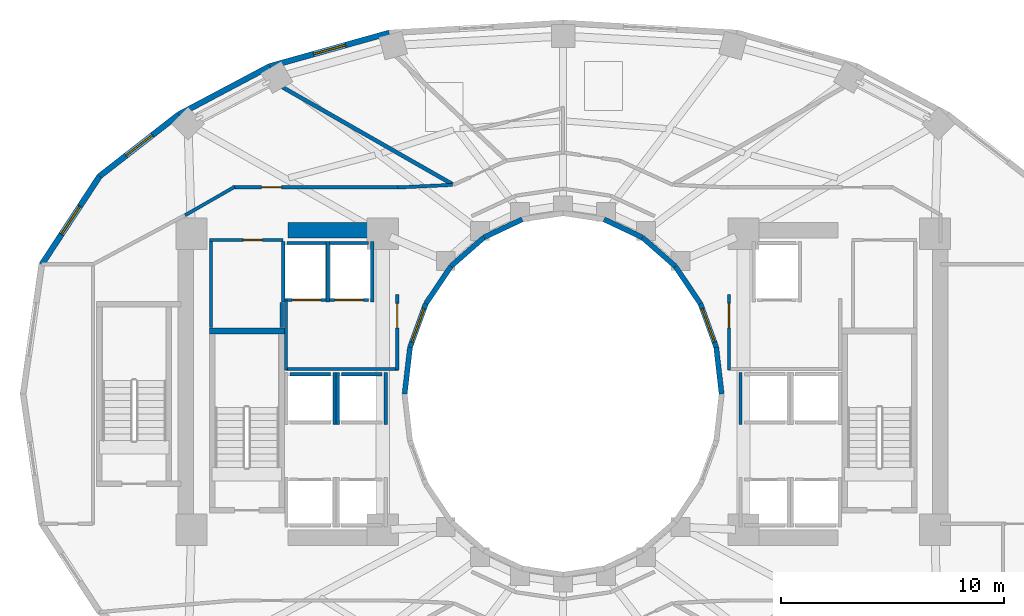
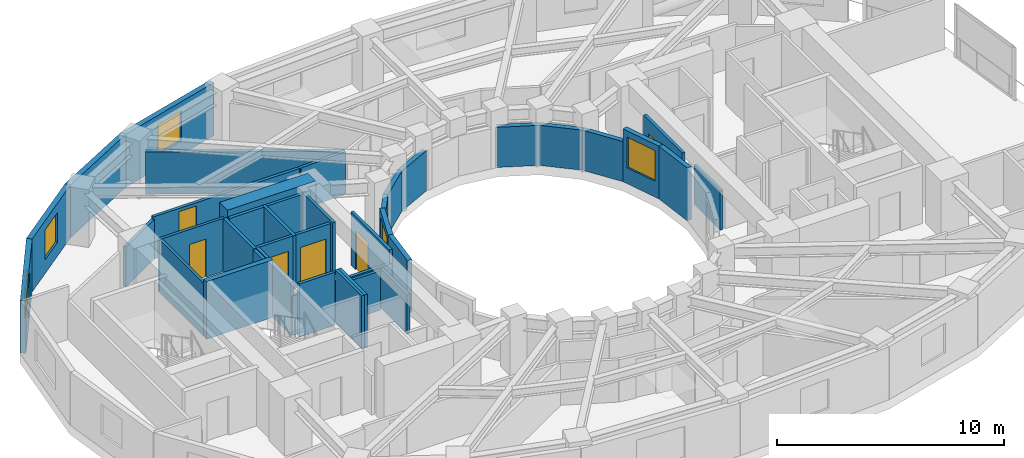
# One storey, part 8 of 13: 40 walls, 6 doors, 5 windows, 11 openings.
"""IFC4 building model written with IfcOpenShell, lengths in metres."""

import ifcopenshell
import ifcopenshell.guid

model = None  # the IFC model being written
_history = None  # IfcOwnerHistory: only IFC2X3 demands one
_inside = {}  # id of a spatial element -> (the spatial element, [elements in it])
_under = {}  # id of a project, library or spatial element -> (it, [spatial elements below it])
_declared = {}  # id of a project -> (the project, [libraries it declares])
_typed = {}  # id of a type object -> (the type object, [elements of that type])
_made_of = {}  # id of a material, layer set ... -> (it, [elements and type objects made of it])


def new_model(schema):
    """Start an empty IFC model of exactly this schema.

    Asked for "IFC4X3", IfcOpenShell would pick the latest addendum, in which some entities
    have other attributes; the version numbers below select the first issue.
    IFC2X3 requires an IfcOwnerHistory on every rooted entity: one is made here for all.
    """
    global model, _history
    if schema == "IFC4X3":
        model = ifcopenshell.file(schema_version=(4, 3, 0, 0))
    else:
        model = ifcopenshell.file(schema=schema)
    _inside.clear()
    _under.clear()
    _declared.clear()
    _typed.clear()
    _made_of.clear()
    _history = None
    if model.schema == "IFC2X3":
        org = make("IfcOrganization", Name="unknown")
        user = make(
            "IfcPersonAndOrganization",
            ThePerson=make("IfcPerson", FamilyName="unknown"),
            TheOrganization=org,
        )
        app = make(
            "IfcApplication",
            ApplicationDeveloper=org,
            Version="unknown",
            ApplicationFullName="unknown",
            ApplicationIdentifier="unknown",
        )
        _history = make(
            "IfcOwnerHistory",
            OwningUser=user,
            OwningApplication=app,
            ChangeAction="ADDED",
            CreationDate=0,
        )
    return model


def make(cls, **values):
    """One entity of the class cls with the attributes given. An attribute that is None is left unset."""
    return model.create_entity(
        cls, **{name: value for name, value in values.items() if value is not None}
    )


def rooted(cls, **values):
    """An entity with a GlobalId (a new one), such as an element, a storey or a relation."""
    return make(cls, GlobalId=ifcopenshell.guid.new(), OwnerHistory=_history, **values)


def si_unit(unit_type, name, prefix=None):
    """IfcSIUnit, for example si_unit("LENGTHUNIT", "METRE", prefix="MILLI")."""
    return make("IfcSIUnit", UnitType=unit_type, Prefix=prefix, Name=name)


def assignment(units):
    """IfcUnitAssignment: the units of a project."""
    return None if units is None else make("IfcUnitAssignment", Units=units)


def point(xyz):
    """IfcCartesianPoint."""
    return None if xyz is None else make("IfcCartesianPoint", Coordinates=xyz)


def direction(xyz):
    """IfcDirection."""
    return None if xyz is None else make("IfcDirection", DirectionRatios=xyz)


def frame(location, z_axis=None, x_axis=None):
    """IfcAxis2Placement3D, a coordinate frame: its origin and axes. An axis left out is left unset."""
    return make(
        "IfcAxis2Placement3D",
        Location=point(location),
        Axis=direction(z_axis),
        RefDirection=direction(x_axis),
    )


def frame_2d(location, x_axis=None):
    """IfcAxis2Placement2D, a coordinate frame in the plane: its origin and x axis."""
    return make(
        "IfcAxis2Placement2D", Location=point(location), RefDirection=direction(x_axis)
    )


def origin():
    """The frame at (0, 0, 0) with its axes left unset."""
    return frame((0.0, 0.0, 0.0))


def place(relative_to, where):
    """IfcLocalPlacement: puts the frame where relative to a parent placement (None: the world)."""
    return make(
        "IfcLocalPlacement", PlacementRelTo=relative_to, RelativePlacement=where
    )


def context(
    kind, dimensions, precision=None, world=None, true_north=None, identifier=None
):
    """IfcGeometricRepresentationContext, for example the 3D "Model" context."""
    return make(
        "IfcGeometricRepresentationContext",
        ContextIdentifier=identifier,
        ContextType=kind,
        CoordinateSpaceDimension=dimensions,
        Precision=precision,
        WorldCoordinateSystem=world,
        TrueNorth=true_north,
    )


def subcontext(parent, identifier, kind, view, scale=None):
    """IfcGeometricRepresentationSubContext, for example "Body" below "Model"."""
    return make(
        "IfcGeometricRepresentationSubContext",
        ContextIdentifier=identifier,
        ContextType=kind,
        ParentContext=parent,
        TargetScale=scale,
        TargetView=view,
    )


def project(units=None, contexts=None):
    """IfcProject with its units and contexts."""
    return rooted(
        "IfcProject",
        Name="project",
        RepresentationContexts=contexts,
        UnitsInContext=assignment(units),
    )


def spatial(cls, under=None, at=None, **own):
    """A site, building, storey or space (cls), placed at a placement, below another one or the project."""
    s = rooted(cls, ObjectPlacement=at, **own)
    if under is not None:
        _under.setdefault(under.id(), (under, []))[1].append(s)
    return s


def profile(cls, at=None, kind="AREA", **sizes):
    """A parametric profile (cls). Its sizes go by their IFC names, for example OverallWidth=200.0."""
    return make(cls, ProfileType=kind, Position=at, **sizes)


def rectangle(**sizes):
    """IfcRectangleProfileDef."""
    return profile("IfcRectangleProfileDef", **sizes)


def extrude(swept, where, along, depth):
    """IfcExtrudedAreaSolid: the profile swept, set in the frame where, extruded along a direction by depth."""
    return make(
        "IfcExtrudedAreaSolid",
        SweptArea=swept,
        Position=where,
        ExtrudedDirection=direction(along),
        Depth=depth,
    )


def shape(context_of_items, identifier, shape_type, items):
    """IfcShapeRepresentation: the items that make up one representation, for example the "Body"."""
    return make(
        "IfcShapeRepresentation",
        ContextOfItems=context_of_items,
        RepresentationIdentifier=identifier,
        RepresentationType=shape_type,
        Items=items,
    )


def material(Name=None, Category=None):
    """IfcMaterial."""
    return make("IfcMaterial", Name=Name, Category=Category)


def layer(
    of_material, thickness, ventilated=None, Name=None, Category=None, Priority=None
):
    """IfcMaterialLayer: one layer of a wall or slab, of a material (None: an air gap)."""
    return make(
        "IfcMaterialLayer",
        Material=of_material,
        LayerThickness=thickness,
        IsVentilated=ventilated,
        Name=Name,
        Category=Category,
        Priority=Priority,
    )


def layer_set(layers, Name=None):
    """IfcMaterialLayerSet."""
    return make("IfcMaterialLayerSet", MaterialLayers=layers, LayerSetName=Name)


def made_of(thing, what):
    """Note that an element or type object is made of a material, layer set ...; save() writes the relation."""
    if what is not None:
        _made_of.setdefault(what.id(), (what, []))[1].append(thing)
    return thing


def type_object(cls, material=None, **own):
    """A type object (cls), such as IfcWallType, which elements share."""
    return made_of(rooted(cls, **own), material)


def element(
    cls,
    number,
    at=None,
    inside=None,
    cuts=None,
    type_object=None,
    material=None,
    context=None,
    identifier="Body",
    shape_type=None,
    held_by="IfcProductDefinitionShape",
    body=None,
    shapes=None,
    **own,
):
    """One element of the class cls, such as IfcWall. Its Tag is "e" and its number.

    at: its placement. inside: the storey or other place that contains it. cuts: it is an
    opening in that element (IfcRelVoidsElement). A single representation is given by context,
    identifier, shape_type and body (its items); several are given by shapes. held_by: the class
    of the entity that holds the representations. save() writes the other relations.
    """
    e = rooted(cls, Tag="e%d" % number, ObjectPlacement=at, **own)
    if body is not None:
        shapes = [shape(context, identifier, shape_type, body)]
    if shapes is not None:
        e.Representation = make(held_by, Representations=shapes)
    if inside is not None:
        _inside.setdefault(inside.id(), (inside, []))[1].append(e)
    if cuts is not None:
        rooted(
            "IfcRelVoidsElement", RelatingBuildingElement=cuts, RelatedOpeningElement=e
        )
    if type_object is not None:
        _typed.setdefault(type_object.id(), (type_object, []))[1].append(e)
    return made_of(e, material)


def fill(opening, filler):
    """IfcRelFillsElement: the door or window that sits in an opening."""
    return rooted(
        "IfcRelFillsElement",
        RelatingOpeningElement=opening,
        RelatedBuildingElement=filler,
    )


def aggregate(whole, parts):
    """IfcRelAggregates: a whole, such as a stair, and the parts it consists of."""
    return rooted("IfcRelAggregates", RelatingObject=whole, RelatedObjects=parts)


def save(model, path):
    """Write the relations noted so far, then the file.

    IfcRelAggregates (storeys below a building ...), IfcRelContainedInSpatialStructure (elements
    in a storey), IfcRelDefinesByType, IfcRelAssociatesMaterial and IfcRelDeclares: one each for
    every whole, place, type object, material and project.
    """
    for whole, parts in _under.values():
        aggregate(whole, parts)
    for where, things in _inside.values():
        rooted(
            "IfcRelContainedInSpatialStructure",
            RelatedElements=things,
            RelatingStructure=where,
        )
    for kind, things in _typed.values():
        rooted("IfcRelDefinesByType", RelatedObjects=things, RelatingType=kind)
    for what, things in _made_of.values():
        rooted("IfcRelAssociatesMaterial", RelatedObjects=things, RelatingMaterial=what)
    for by, libraries in _declared.values():
        rooted("IfcRelDeclares", RelatingContext=by, RelatedDefinitions=libraries)
    model.write(path)


model = new_model("IFC4")

# Units and contexts
model_context = context("Model", 3, precision=1e-05, world=origin(), true_north=direction((0.0, 1.0)))
body_context = subcontext(model_context, "Body", "Model", "MODEL_VIEW")
ifc_project = project(units=[si_unit("LENGTHUNIT", "METRE"), si_unit("AREAUNIT", "SQUARE_METRE"), si_unit("VOLUMEUNIT", "CUBIC_METRE"), si_unit("PLANEANGLEUNIT", "RADIAN"), si_unit("MASSUNIT", "GRAM", prefix="KILO")], contexts=[model_context])

# Site, building, storey
site_placement = place(None, origin())
site = spatial("IfcSite", under=ifc_project, at=site_placement, CompositionType="ELEMENT")
building_placement = place(site_placement, origin())
building = spatial("IfcBuilding", under=site, at=building_placement, Name="Solvane Sanctuary Tower", CompositionType="ELEMENT")
storey_placement = place(building_placement, frame((0.0, 0.0, 85.60009765625)))
storey = spatial("IfcBuildingStorey", under=building, at=storey_placement, Name="L25", CompositionType="ELEMENT", Elevation=85.60009765625)

# Walls
ifc_material_1 = material(Name="Concrete C60/75", Category="concrete")
ifc_layer_1 = layer(ifc_material_1, 0.699951171875, Name="Concrete C60/75")
ifc_layer_set_1 = layer_set([ifc_layer_1], Name="Concrete C60/75")
wall_type_1 = type_object("IfcWallType", Name="Wall W-CORE-700", PredefinedType="SHEAR", material=ifc_layer_set_1)
wall_1_placement = place(storey_placement, frame((19.64990234375, 30.35009765625, 0.0), z_axis=(0.0, 0.0, 1.0), x_axis=(1.0, 0.0, 0.0)))
element("IfcWall", 1, at=wall_1_placement, inside=storey, type_object=wall_type_1, Name="L25 Core Shear Wall WC-N", PredefinedType="SHEAR", context=body_context, shape_type="SweptSolid", body=[
    extrude(rectangle(XDim=4.5, YDim=0.699951171875, at=frame_2d((2.25, 0.0))), origin(), (0.0, 0.0, 1.0), 3.099853515625),
])
ifc_material_2 = material(Name="Acoustic Gypsum Partition Board")
ifc_layer_2 = layer(ifc_material_2, 0.14990234375, Name="Acoustic Gypsum Partition Board")
ifc_layer_set_2 = layer_set([ifc_layer_2], Name="Acoustic Gypsum Partition Board")
wall_type_2 = type_object("IfcWallType", Name="Wall W-CORR-150", PredefinedType="PARTITIONING", material=ifc_layer_set_2)
wall_2_placement = place(storey_placement, frame((19.52001953125, 24.1201171875, 0.0), z_axis=(0.0, 0.0, 1.0), x_axis=(1.0, 0.0, 0.0)))
element("IfcWall", 2, at=wall_2_placement, inside=storey, type_object=wall_type_2, Name="L25 West Firefighting Lobby South Wall", PredefinedType="PARTITIONING", context=body_context, shape_type="SweptSolid", body=[
    extrude(rectangle(XDim=5.080078125, YDim=0.14990234375, at=frame_2d((2.5400390625, 0.0))), origin(), (0.0, 0.0, 1.0), 2.119873046875),
])
wall_3_placement = place(storey_placement, frame((19.550048828125, 24.080078125, 0.0), z_axis=(0.0, 0.0, 1.0), x_axis=(0.0, 1.0, 0.0)))
element("IfcWall", 3, at=wall_3_placement, inside=storey, type_object=wall_type_2, Name="L25 West Firefighting Lobby West Wall", PredefinedType="PARTITIONING", context=body_context, shape_type="SweptSolid", body=[
    extrude(rectangle(XDim=3.199951171875, YDim=0.14990234375, at=frame_2d((1.60009765625, 0.0))), origin(), (0.0, 0.0, 1.0), 2.85498046875),
])

# Wall, opening, door
wall_4_placement = place(storey_placement, frame((24.550048828125, 24.080078125, 0.0), z_axis=(0.0, 0.0, 1.0), x_axis=(0.0, 1.0, 0.0)))
wall_4 = element("IfcWall", 4, at=wall_4_placement, inside=storey, type_object=wall_type_2, Name="L25 West Firefighting Lobby East Wall", PredefinedType="PARTITIONING", context=body_context, shape_type="SweptSolid", body=[
    extrude(rectangle(XDim=3.39990234375, YDim=0.14990234375, at=frame_2d((1.699951171875, 0.0))), origin(), (0.0, 0.0, 1.0), 2.85498046875),
])
opening_1_placement = place(wall_4_placement, frame((1.893798828125, 0.0, 0.0)))
opening_1 = element("IfcOpeningElement", 5, at=opening_1_placement, cuts=wall_4, Name="Opening D-L25-04", PredefinedType="OPENING", context=body_context, shape_type="SweptSolid", body=[
    extrude(rectangle(XDim=1.10009765625, YDim=2.10009765625, at=frame_2d((0.550048828125, 1.050048828125))), frame((0.0, 0.0849609375, 0.0), z_axis=(0.0, -1.0, 0.0), x_axis=(1.0, 0.0, 0.0)), (0.0, 0.0, 1.0), 0.169921875),
])
ifc_material_3 = material(Name="Architectural Stainless Steel 316", Category="steel")
door_type_1 = type_object("IfcDoorType", Name="Door D-FFL", OperationType="NOTDEFINED", PredefinedType="DOOR", material=ifc_material_3)
door_1_placement = place(opening_1_placement, origin())
door_1 = element("IfcDoor", 6, at=door_1_placement, inside=storey, type_object=door_type_1, Name="L25 West Firefighting Lobby Fire Door", OperationType="SINGLE_SWING_LEFT", OverallHeight=2.10009765625, OverallWidth=1.10009765625, PredefinedType="DOOR", context=body_context, shape_type="SweptSolid", body=[
    extrude(rectangle(XDim=1.10009765625, YDim=2.10009765625, at=frame_2d((0.550048828125, 1.050048828125))), frame((0.0, 0.02490234375, 0.0), z_axis=(0.0, -1.0, 0.0), x_axis=(1.0, 0.0, 0.0)), (0.0, 0.0, 1.0), 0.050048828125),
])
fill(opening_1, door_1)

wall_5_placement = place(storey_placement, frame((39.449951171875, 24.080078125, 0.0), z_axis=(0.0, 0.0, 1.0), x_axis=(0.0, 1.0, 0.0)))
wall_5 = element("IfcWall", 7, at=wall_5_placement, inside=storey, type_object=wall_type_2, Name="L25 East Firefighting Lobby West Wall", PredefinedType="PARTITIONING", context=body_context, shape_type="SweptSolid", body=[
    extrude(rectangle(XDim=3.39990234375, YDim=0.14990234375, at=frame_2d((1.699951171875, 0.0))), origin(), (0.0, 0.0, 1.0), 2.85498046875),
])
opening_2_placement = place(wall_5_placement, frame((1.893798828125, 0.0, 0.0)))
opening_2 = element("IfcOpeningElement", 8, at=opening_2_placement, cuts=wall_5, Name="Opening D-L25-05", PredefinedType="OPENING", context=body_context, shape_type="SweptSolid", body=[
    extrude(rectangle(XDim=1.10009765625, YDim=2.10009765625, at=frame_2d((0.550048828125, 1.050048828125))), frame((0.0, 0.0849609375, 0.0), z_axis=(0.0, -1.0, 0.0), x_axis=(1.0, 0.0, 0.0)), (0.0, 0.0, 1.0), 0.169921875),
])
door_2_placement = place(opening_2_placement, origin())
door_2 = element("IfcDoor", 9, at=door_2_placement, inside=storey, type_object=door_type_1, Name="L25 East Firefighting Lobby Fire Door", OperationType="SINGLE_SWING_RIGHT", OverallHeight=2.10009765625, OverallWidth=1.10009765625, PredefinedType="DOOR", context=body_context, shape_type="SweptSolid", body=[
    extrude(rectangle(XDim=1.10009765625, YDim=2.10009765625, at=frame_2d((0.550048828125, 1.050048828125))), frame((0.0, 0.02490234375, 0.0), z_axis=(0.0, -1.0, 0.0), x_axis=(1.0, 0.0, 0.0)), (0.0, 0.0, 1.0), 0.050048828125),
])
fill(opening_2, door_2)

# Wall
wall_6_placement = place(storey_placement, frame((27.02001953125, 32.393798828125, 0.0), z_axis=(0.0, 0.0, 1.0), x_axis=(-0.998877427952, -0.047369651964, 0.0)))
element("IfcWall", 10, at=wall_6_placement, inside=storey, type_object=wall_type_2, Name="L25 NW Corner Throat Wall", PredefinedType="PARTITIONING", context=body_context, shape_type="SweptSolid", body=[
    extrude(rectangle(XDim=2.4326171875, YDim=0.14990234375, at=frame_2d((1.21630859375, 0.0))), origin(), (0.0, 0.0, 1.0), 2.27197265625),
])

# Wall, opening, door
wall_7_placement = place(storey_placement, frame((17.14990234375, 32.280029296875, 0.0), z_axis=(0.0, 0.0, 1.0), x_axis=(1.0, 0.0, 0.0)))
wall_7 = element("IfcWall", 11, at=wall_7_placement, inside=storey, type_object=wall_type_2, Name="L25 NW Corner Corridor Wall", PredefinedType="PARTITIONING", context=body_context, shape_type="SweptSolid", body=[
    extrude(rectangle(XDim=7.52001953125, YDim=0.14990234375, at=frame_2d((3.760009765625, 0.0))), origin(), (0.0, 0.0, 1.0), 2.27197265625),
])
opening_3_placement = place(wall_7_placement, frame((1.300048828125, 0.0, 0.0)))
opening_3 = element("IfcOpeningElement", 12, at=opening_3_placement, cuts=wall_7, Name="Opening D-L25-11", PredefinedType="OPENING", context=body_context, shape_type="SweptSolid", body=[
    extrude(rectangle(XDim=0.89990234375, YDim=2.10009765625, at=frame_2d((0.449951171875, 1.050048828125))), frame((0.0, 0.0849609375, 0.0), z_axis=(0.0, -1.0, 0.0), x_axis=(1.0, 0.0, 0.0)), (0.0, 0.0, 1.0), 0.169921875),
])
ifc_material_4 = material(Name="Engineered Tropical Hardwood", Category="wood")
door_type_2 = type_object("IfcDoorType", Name="Door D-WET-900", OperationType="NOTDEFINED", PredefinedType="DOOR", material=ifc_material_4)
door_3_placement = place(opening_3_placement, origin())
door_3 = element("IfcDoor", 13, at=door_3_placement, inside=storey, type_object=door_type_2, Name="L25 NW Corner Salon Door", OperationType="SINGLE_SWING_RIGHT", OverallHeight=2.10009765625, OverallWidth=0.89990234375, PredefinedType="DOOR", context=body_context, shape_type="SweptSolid", body=[
    extrude(rectangle(XDim=0.89990234375, YDim=2.10009765625, at=frame_2d((0.449951171875, 1.050048828125))), frame((0.0, 0.02490234375, 0.0), z_axis=(0.0, -1.0, 0.0), x_axis=(1.0, 0.0, 0.0)), (0.0, 0.0, 1.0), 0.050048828125),
])
fill(opening_3, door_3)

# Wall
wall_8_placement = place(storey_placement, frame((17.243408203125, 32.3046875, 0.0), z_axis=(0.0, 0.0, 1.0), x_axis=(-0.867991349648, -0.496579315857, 0.0)))
element("IfcWall", 14, at=wall_8_placement, inside=storey, type_object=wall_type_2, Name="L25 NW Corner Wing Wall", PredefinedType="PARTITIONING", context=body_context, shape_type="SweptSolid", body=[
    extrude(rectangle(XDim=2.56689453125, YDim=0.14990234375, at=frame_2d((1.283447265625, 0.0))), origin(), (0.0, 0.0, 1.0), 2.141845703125),
])

# Wall, opening, window
ifc_material_5 = material(Name="Precast concrete C40/50", Category="concrete")
ifc_layer_3 = layer(ifc_material_5, 0.260009765625, Name="Precast concrete C40/50")
ifc_layer_set_3 = layer_set([ifc_layer_3], Name="Precast concrete C40/50")
wall_type_3 = type_object("IfcWallType", Name="Wall W-EXT-250", PredefinedType="STANDARD", material=ifc_layer_set_3)
wall_9_placement = place(storey_placement, frame((24.18359375, 39.2216796875, 0.0), z_axis=(0.0, 0.0, 1.0), x_axis=(-0.962938491413, -0.269721081407, 0.0)))
wall_9 = element("IfcWall", 15, at=wall_9_placement, inside=storey, type_object=wall_type_3, Name="L25 Ceramic-Printed Facade Wall 07", PredefinedType="STANDARD", context=body_context, shape_type="SweptSolid", body=[
    extrude(rectangle(XDim=5.563232421875, YDim=0.260009765625, at=frame_2d((2.78173828125, 0.0))), origin(), (0.0, 0.0, 1.0), 2.849853515625),
])
opening_4_placement = place(wall_9_placement, frame((2.031494140625, 0.0, 0.75)))
opening_4 = element("IfcOpeningElement", 16, at=opening_4_placement, cuts=wall_9, Name="Opening WN-OPER-1500", PredefinedType="OPENING", context=body_context, shape_type="SweptSolid", body=[
    extrude(rectangle(XDim=1.5, YDim=1.60009765625, at=frame_2d((0.75, 0.800048828125))), frame((0.0, 0.139892578125, 0.0), z_axis=(0.0, -1.0, 0.0), x_axis=(1.0, 0.0, 0.0)), (0.0, 0.0, 1.0), 0.280029296875),
])
ifc_material_6 = material(Name="Dark Ceramic-Fritted Low-E Glass", Category="glass")
window_type_1 = type_object("IfcWindowType", Name="Window WN-OPER-1500", PartitioningType="SINGLE_PANEL", PredefinedType="WINDOW", material=ifc_material_6)
window_1_placement = place(opening_4_placement, origin())
window_1 = element("IfcWindow", 17, at=window_1_placement, inside=storey, type_object=window_type_1, Name="L25 Operable Facade Window 07", OverallHeight=1.60009765625, OverallWidth=1.5, PartitioningType="SINGLE_PANEL", PredefinedType="WINDOW", context=body_context, shape_type="SweptSolid", body=[
    extrude(rectangle(XDim=1.5, YDim=1.60009765625, at=frame_2d((0.75, 0.800048828125))), frame((0.0, 0.030029296875, 0.0), z_axis=(0.0, -1.0, 0.0), x_axis=(1.0, 0.0, 0.0)), (0.0, 0.0, 1.0), 0.06005859375),
])
fill(opening_4, window_1)

# Wall
wall_10_placement = place(storey_placement, frame((18.82666015625, 37.72119140625, 0.0), z_axis=(0.0, 0.0, 1.0), x_axis=(-0.883668636807, -0.4681129568, 0.0)))
element("IfcWall", 18, at=wall_10_placement, inside=storey, type_object=wall_type_3, Name="L25 Ceramic-Printed Facade Wall 08", PredefinedType="STANDARD", context=body_context, shape_type="SweptSolid", body=[
    extrude(rectangle(XDim=4.63134765625, YDim=0.260009765625, at=frame_2d((2.315673828125, 0.0))), origin(), (0.0, 0.0, 1.0), 2.849853515625),
])

# Wall, opening, window
wall_11_placement = place(storey_placement, frame((14.734130859375, 35.55322265625, 0.0), z_axis=(0.0, 0.0, 1.0), x_axis=(-0.789127449954, -0.614229491094, 0.0)))
wall_11 = element("IfcWall", 19, at=wall_11_placement, inside=storey, type_object=wall_type_3, Name="L25 Ceramic-Printed Facade Wall 09", PredefinedType="STANDARD", context=body_context, shape_type="SweptSolid", body=[
    extrude(rectangle(XDim=4.504638671875, YDim=0.260009765625, at=frame_2d((2.25244140625, 0.0))), origin(), (0.0, 0.0, 1.0), 2.849853515625),
])
opening_5_placement = place(wall_11_placement, frame((1.502197265625, 0.0, 0.75)))
opening_5 = element("IfcOpeningElement", 20, at=opening_5_placement, cuts=wall_11, Name="Opening WN-OPER-1500", PredefinedType="OPENING", context=body_context, shape_type="SweptSolid", body=[
    extrude(rectangle(XDim=1.5, YDim=1.60009765625, at=frame_2d((0.75, 0.800048828125))), frame((0.0, 0.139892578125, 0.0), z_axis=(0.0, -1.0, 0.0), x_axis=(1.0, 0.0, 0.0)), (0.0, 0.0, 1.0), 0.280029296875),
])
window_2_placement = place(opening_5_placement, origin())
window_2 = element("IfcWindow", 21, at=window_2_placement, inside=storey, type_object=window_type_1, Name="L25 Operable Facade Window 09", OverallHeight=1.60009765625, OverallWidth=1.5, PartitioningType="SINGLE_PANEL", PredefinedType="WINDOW", context=body_context, shape_type="SweptSolid", body=[
    extrude(rectangle(XDim=1.5, YDim=1.60009765625, at=frame_2d((0.75, 0.800048828125))), frame((0.0, 0.030029296875, 0.0), z_axis=(0.0, -1.0, 0.0), x_axis=(1.0, 0.0, 0.0)), (0.0, 0.0, 1.0), 0.06005859375),
])
fill(opening_5, window_2)

wall_12_placement = place(storey_placement, frame((11.179443359375, 32.786376953125, 0.0), z_axis=(0.0, 0.0, 1.0), x_axis=(-0.548283220945, -0.836292717672, 0.0)))
wall_12 = element("IfcWall", 22, at=wall_12_placement, inside=storey, type_object=wall_type_3, Name="L25 Ceramic-Printed Facade Wall 10", PredefinedType="STANDARD", context=body_context, shape_type="SweptSolid", body=[
    extrude(rectangle(XDim=4.744384765625, YDim=0.260009765625, at=frame_2d((2.3720703125, 0.0))), origin(), (0.0, 0.0, 1.0), 2.849853515625),
])
opening_6_placement = place(wall_12_placement, frame((1.622314453125, 0.0, 0.75)))
opening_6 = element("IfcOpeningElement", 23, at=opening_6_placement, cuts=wall_12, Name="Opening WN-OPER-1500", PredefinedType="OPENING", context=body_context, shape_type="SweptSolid", body=[
    extrude(rectangle(XDim=1.5, YDim=1.60009765625, at=frame_2d((0.75, 0.800048828125))), frame((0.0, 0.139892578125, 0.0), z_axis=(0.0, -1.0, 0.0), x_axis=(1.0, 0.0, 0.0)), (0.0, 0.0, 1.0), 0.280029296875),
])
window_3_placement = place(opening_6_placement, origin())
window_3 = element("IfcWindow", 24, at=window_3_placement, inside=storey, type_object=window_type_1, Name="L25 Operable Facade Window 10", OverallHeight=1.60009765625, OverallWidth=1.5, PartitioningType="SINGLE_PANEL", PredefinedType="WINDOW", context=body_context, shape_type="SweptSolid", body=[
    extrude(rectangle(XDim=1.5, YDim=1.60009765625, at=frame_2d((0.75, 0.800048828125))), frame((0.0, 0.030029296875, 0.0), z_axis=(0.0, -1.0, 0.0), x_axis=(1.0, 0.0, 0.0)), (0.0, 0.0, 1.0), 0.06005859375),
])
fill(opening_6, window_3)

# Wall
ifc_layer_4 = layer(ifc_material_5, 0.22998046875, Name="Precast concrete C40/50")
ifc_layer_set_4 = layer_set([ifc_layer_4], Name="Precast concrete C40/50")
wall_type_4 = type_object("IfcWallType", Name="Wall W-EXT-SP220", PredefinedType="STANDARD", material=ifc_layer_set_4)
wall_13_placement = place(storey_placement, frame((39.1201171875, 23.0, 0.0), z_axis=(0.0, 0.0, 1.0), x_axis=(-0.114711713601, 0.993398823617, 0.0)))
element("IfcWall", 25, at=wall_13_placement, inside=storey, type_object=wall_type_4, Name="L25 Central Light-Well Wall 00", PredefinedType="STANDARD", context=body_context, shape_type="SweptSolid", body=[
    extrude(rectangle(XDim=2.115478515625, YDim=0.22998046875, at=frame_2d((1.0576171875, 0.0))), origin(), (0.0, 0.0, 1.0), 2.83984375),
])

# Wall, opening, window
wall_14_placement = place(storey_placement, frame((38.87744140625, 25.1015625, 0.0), z_axis=(0.0, 0.0, 1.0), x_axis=(-0.341423187295, 0.93990968033, 0.0)))
wall_14 = element("IfcWall", 26, at=wall_14_placement, inside=storey, type_object=wall_type_4, Name="L25 Central Light-Well Wall 01", PredefinedType="STANDARD", context=body_context, shape_type="SweptSolid", body=[
    extrude(rectangle(XDim=2.083740234375, YDim=0.22998046875, at=frame_2d((1.0419921875, 0.0))), origin(), (0.0, 0.0, 1.0), 2.83984375),
])
opening_7_placement = place(wall_14_placement, frame((0.24169921875, 0.0, 0.85009765625)))
opening_7 = element("IfcOpeningElement", 27, at=opening_7_placement, cuts=wall_14, Name="Opening WN-WELL-1600", PredefinedType="OPENING", context=body_context, shape_type="SweptSolid", body=[
    extrude(rectangle(XDim=1.60009765625, YDim=1.64990234375, at=frame_2d((0.800048828125, 0.824951171875))), frame((0.0, 0.125, 0.0), z_axis=(0.0, -1.0, 0.0), x_axis=(1.0, 0.0, 0.0)), (0.0, 0.0, 1.0), 0.25),
])
ifc_material_7 = material(Name="Clear Laminated Light-Well Glass", Category="glass")
window_type_2 = type_object("IfcWindowType", Name="Window WN-WELL-1600", PartitioningType="SINGLE_PANEL", PredefinedType="WINDOW", material=ifc_material_7)
window_4_placement = place(opening_7_placement, origin())
window_4 = element("IfcWindow", 28, at=window_4_placement, inside=storey, type_object=window_type_2, Name="L25 Light-Well Daylight Window 01", OverallHeight=1.64990234375, OverallWidth=1.60009765625, PartitioningType="SINGLE_PANEL", PredefinedType="WINDOW", context=body_context, shape_type="SweptSolid", body=[
    extrude(rectangle(XDim=1.60009765625, YDim=1.64990234375, at=frame_2d((0.800048828125, 0.824951171875))), frame((0.0, 0.030029296875, 0.0), z_axis=(0.0, -1.0, 0.0), x_axis=(1.0, 0.0, 0.0)), (0.0, 0.0, 1.0), 0.06005859375),
])
fill(opening_7, window_4)

# Walls
wall_15_placement = place(storey_placement, frame((38.166015625, 27.06005859375, 0.0), z_axis=(0.0, 0.0, 1.0), x_axis=(-0.558197800898, 0.829707909492, 0.0)))
element("IfcWall", 29, at=wall_15_placement, inside=storey, type_object=wall_type_4, Name="L25 Central Light-Well Wall 02", PredefinedType="STANDARD", context=body_context, shape_type="SweptSolid", body=[
    extrude(rectangle(XDim=2.02685546875, YDim=0.22998046875, at=frame_2d((1.013427734375, 0.0))), origin(), (0.0, 0.0, 1.0), 2.159912109375),
])
wall_16_placement = place(storey_placement, frame((37.03466796875, 28.74169921875, 0.0), z_axis=(0.0, 0.0, 1.0), x_axis=(-0.752576694707, 0.658504607869, 0.0)))
element("IfcWall", 30, at=wall_16_placement, inside=storey, type_object=wall_type_4, Name="L25 Central Light-Well Wall 03", PredefinedType="STANDARD", context=body_context, shape_type="SweptSolid", body=[
    extrude(rectangle(XDim=1.95947265625, YDim=0.22998046875, at=frame_2d((0.979736328125, 0.0))), origin(), (0.0, 0.0, 1.0), 2.159912109375),
])
for number, where, z_axis, x_axis, name in (
    (31, (35.56005859375, 30.031982421875, 0.0), (0.0, 0.0, 1.0), (-0.904179699603, 0.427152280606, 0.0), "L25 Central Light-Well Wall 04"),
    (32, (30.1572265625, 30.84326171875, 0.0), (0.0, 0.0, 1.0), (-0.904179699603, -0.427152280606, 0.0), "L25 Central Light-Well Wall 07"),
):
    element("IfcWall", number, at=place(storey_placement, frame(where, z_axis=z_axis, x_axis=x_axis)), inside=storey, type_object=wall_type_4, Name=name, PredefinedType="STANDARD", context=body_context, shape_type="SweptSolid", body=[
        extrude(rectangle(XDim=1.899169921875, YDim=0.22998046875, at=frame_2d((0.94970703125, 0.0))), origin(), (0.0, 0.0, 1.0), 2.159912109375),
    ])
wall_17_placement = place(storey_placement, frame((28.43994140625, 30.031982421875, 0.0), z_axis=(0.0, 0.0, 1.0), x_axis=(-0.752576694707, -0.658504607869, 0.0)))
element("IfcWall", 33, at=wall_17_placement, inside=storey, type_object=wall_type_4, Name="L25 Central Light-Well Wall 08", PredefinedType="STANDARD", context=body_context, shape_type="SweptSolid", body=[
    extrude(rectangle(XDim=1.95947265625, YDim=0.22998046875, at=frame_2d((0.979736328125, 0.0))), origin(), (0.0, 0.0, 1.0), 2.159912109375),
])
wall_18_placement = place(storey_placement, frame((26.96533203125, 28.74169921875, 0.0), z_axis=(0.0, 0.0, 1.0), x_axis=(-0.558197800898, -0.829707909492, 0.0)))
element("IfcWall", 34, at=wall_18_placement, inside=storey, type_object=wall_type_4, Name="L25 Central Light-Well Wall 09", PredefinedType="STANDARD", context=body_context, shape_type="SweptSolid", body=[
    extrude(rectangle(XDim=2.02685546875, YDim=0.22998046875, at=frame_2d((1.013427734375, 0.0))), origin(), (0.0, 0.0, 1.0), 2.159912109375),
])

# Wall, opening, window
wall_19_placement = place(storey_placement, frame((25.833984375, 27.06005859375, 0.0), z_axis=(0.0, 0.0, 1.0), x_axis=(-0.341423187295, -0.93990968033, 0.0)))
wall_19 = element("IfcWall", 35, at=wall_19_placement, inside=storey, type_object=wall_type_4, Name="L25 Central Light-Well Wall 10", PredefinedType="STANDARD", context=body_context, shape_type="SweptSolid", body=[
    extrude(rectangle(XDim=2.083740234375, YDim=0.22998046875, at=frame_2d((1.0419921875, 0.0))), origin(), (0.0, 0.0, 1.0), 2.83984375),
])
opening_8_placement = place(wall_19_placement, frame((0.24169921875, 0.0, 0.85009765625)))
opening_8 = element("IfcOpeningElement", 36, at=opening_8_placement, cuts=wall_19, Name="Opening WN-WELL-1600", PredefinedType="OPENING", context=body_context, shape_type="SweptSolid", body=[
    extrude(rectangle(XDim=1.60009765625, YDim=1.64990234375, at=frame_2d((0.800048828125, 0.824951171875))), frame((0.0, 0.125, 0.0), z_axis=(0.0, -1.0, 0.0), x_axis=(1.0, 0.0, 0.0)), (0.0, 0.0, 1.0), 0.25),
])
window_5_placement = place(opening_8_placement, origin())
window_5 = element("IfcWindow", 37, at=window_5_placement, inside=storey, type_object=window_type_2, Name="L25 Light-Well Daylight Window 10", OverallHeight=1.64990234375, OverallWidth=1.60009765625, PartitioningType="SINGLE_PANEL", PredefinedType="WINDOW", context=body_context, shape_type="SweptSolid", body=[
    extrude(rectangle(XDim=1.60009765625, YDim=1.64990234375, at=frame_2d((0.800048828125, 0.824951171875))), frame((0.0, 0.030029296875, 0.0), z_axis=(0.0, -1.0, 0.0), x_axis=(1.0, 0.0, 0.0)), (0.0, 0.0, 1.0), 0.06005859375),
])
fill(opening_8, window_5)

# Walls
wall_20_placement = place(storey_placement, frame((25.12255859375, 25.1015625, 0.0), z_axis=(0.0, 0.0, 1.0), x_axis=(-0.114711713601, -0.993398823617, 0.0)))
element("IfcWall", 38, at=wall_20_placement, inside=storey, type_object=wall_type_4, Name="L25 Central Light-Well Wall 11", PredefinedType="STANDARD", context=body_context, shape_type="SweptSolid", body=[
    extrude(rectangle(XDim=2.115478515625, YDim=0.22998046875, at=frame_2d((1.0576171875, 0.0))), origin(), (0.0, 0.0, 1.0), 2.83984375),
])
ifc_material_8 = material(Name="Concrete C50/60", Category="concrete")
ifc_layer_5 = layer(ifc_material_8, 0.14990234375, Name="Concrete C50/60")
ifc_layer_set_5 = layer_set([ifc_layer_5], Name="Concrete C50/60")
wall_type_5 = type_object("IfcWallType", Name="Wall W-SHAFT-150", PredefinedType="SOLIDWALL", material=ifc_layer_set_5)
wall_21_placement = place(storey_placement, frame((19.739990234375, 23.8798828125, 0.0), z_axis=(0.0, 0.0, 1.0), x_axis=(1.0, 0.0, 0.0)))
element("IfcWall", 39, at=wall_21_placement, inside=storey, type_object=wall_type_5, Name="L25 PM-1 Lift Shaft Wall B", PredefinedType="SOLIDWALL", context=body_context, shape_type="SweptSolid", body=[
    extrude(rectangle(XDim=1.820068359375, YDim=0.14990234375, at=frame_2d((0.91015625, 0.0))), origin(), (0.0, 0.0, 1.0), 2.85498046875),
])
wall_22_placement = place(storey_placement, frame((21.72998046875, 21.639892578125, 0.0), z_axis=(0.0, 0.0, 1.0), x_axis=(0.0, 1.0, 0.0)))
element("IfcWall", 40, at=wall_22_placement, inside=storey, type_object=wall_type_5, Name="L25 PM-1 Lift Shaft Wall S2", PredefinedType="SOLIDWALL", context=body_context, shape_type="SweptSolid", body=[
    extrude(rectangle(XDim=2.320068359375, YDim=0.14990234375, at=frame_2d((1.16015625, 0.0))), origin(), (0.0, 0.0, 1.0), 2.85498046875),
])
wall_23_placement = place(storey_placement, frame((22.0400390625, 23.8798828125, 0.0), z_axis=(0.0, 0.0, 1.0), x_axis=(1.0, 0.0, 0.0)))
element("IfcWall", 41, at=wall_23_placement, inside=storey, type_object=wall_type_5, Name="L25 PH-1 Lift Shaft Wall B", PredefinedType="SOLIDWALL", context=body_context, shape_type="SweptSolid", body=[
    extrude(rectangle(XDim=1.820068359375, YDim=0.14990234375, at=frame_2d((0.91015625, 0.0))), origin(), (0.0, 0.0, 1.0), 2.119873046875),
])
wall_24_placement = place(storey_placement, frame((21.8701171875, 21.639892578125, 0.0), z_axis=(0.0, 0.0, 1.0), x_axis=(0.0, 1.0, 0.0)))
element("IfcWall", 42, at=wall_24_placement, inside=storey, type_object=wall_type_5, Name="L25 PH-1 Lift Shaft Wall S1", PredefinedType="SOLIDWALL", context=body_context, shape_type="SweptSolid", body=[
    extrude(rectangle(XDim=2.320068359375, YDim=0.14990234375, at=frame_2d((1.16015625, 0.0))), origin(), (0.0, 0.0, 1.0), 2.85498046875),
])
for number, where, z_axis, x_axis, name in (
    (43, (24.030029296875, 21.639892578125, 0.0), (0.0, 0.0, 1.0), (0.0, 1.0, 0.0), "L25 PH-1 Lift Shaft Wall S2"),
    (44, (39.969970703125, 21.639892578125, 0.0), (0.0, 0.0, 1.0), (0.0, 1.0, 0.0), "L25 PH-2 Lift Shaft Wall S1"),
):
    element("IfcWall", number, at=place(storey_placement, frame(where, z_axis=z_axis, x_axis=x_axis)), inside=storey, type_object=wall_type_5, Name=name, PredefinedType="SOLIDWALL", context=body_context, shape_type="SweptSolid", body=[
        extrude(rectangle(XDim=2.320068359375, YDim=0.14990234375, at=frame_2d((1.16015625, 0.0))), origin(), (0.0, 0.0, 1.0), 2.119873046875),
    ])

# Wall, opening, door
wall_25_placement = place(storey_placement, frame((19.590087890625, 27.219970703125, 0.0), z_axis=(0.0, 0.0, 1.0), x_axis=(1.0, 0.0, 0.0)))
wall_25 = element("IfcWall", 45, at=wall_25_placement, inside=storey, type_object=wall_type_5, Name="L25 FFL-1 Lift Shaft Wall F", PredefinedType="SOLIDWALL", context=body_context, shape_type="SweptSolid", body=[
    extrude(rectangle(XDim=1.760009765625, YDim=0.14990234375, at=frame_2d((0.8798828125, 0.0))), origin(), (0.0, 0.0, 1.0), 2.85498046875),
])
opening_9_placement = place(wall_25_placement, frame((0.22998046875, 0.0, 0.0)))
opening_9 = element("IfcOpeningElement", 46, at=opening_9_placement, cuts=wall_25, Name="Opening LD-L25-05", PredefinedType="OPENING", context=body_context, shape_type="SweptSolid", body=[
    extrude(rectangle(XDim=1.300048828125, YDim=2.10009765625, at=frame_2d((0.64990234375, 1.050048828125))), frame((0.0, 0.0849609375, 0.0), z_axis=(0.0, -1.0, 0.0), x_axis=(1.0, 0.0, 0.0)), (0.0, 0.0, 1.0), 0.169921875),
])
door_type_3 = type_object("IfcDoorType", Name="Door LD-FFL-1300", OperationType="NOTDEFINED", PredefinedType="DOOR", material=ifc_material_3)
door_4_placement = place(opening_9_placement, origin())
door_4 = element("IfcDoor", 47, at=door_4_placement, inside=storey, type_object=door_type_3, Name="L25 FFL-1 Lift Landing Door", OperationType="DOUBLE_DOOR_SLIDING", OverallHeight=2.10009765625, OverallWidth=1.300048828125, PredefinedType="DOOR", context=body_context, shape_type="SweptSolid", body=[
    extrude(rectangle(XDim=1.300048828125, YDim=2.10009765625, at=frame_2d((0.64990234375, 1.050048828125))), frame((0.0, 0.02490234375, 0.0), z_axis=(0.0, -1.0, 0.0), x_axis=(1.0, 0.0, 0.0)), (0.0, 0.0, 1.0), 0.050048828125),
])
fill(opening_9, door_4)

# Walls
wall_26_placement = place(storey_placement, frame((19.590087890625, 29.780029296875, 0.0), z_axis=(0.0, 0.0, 1.0), x_axis=(1.0, 0.0, 0.0)))
element("IfcWall", 48, at=wall_26_placement, inside=storey, type_object=wall_type_5, Name="L25 FFL-1 Lift Shaft Wall B", PredefinedType="SOLIDWALL", context=body_context, shape_type="SweptSolid", body=[
    extrude(rectangle(XDim=1.760009765625, YDim=0.14990234375, at=frame_2d((0.8798828125, 0.0))), origin(), (0.0, 0.0, 1.0), 2.85498046875),
])
for number, where, z_axis, x_axis, name in (
    (49, (19.419921875, 27.139892578125, 0.0), (0.0, 0.0, 1.0), (0.0, 1.0, 0.0), "L25 FFL-1 Lift Shaft Wall S1"),
    (50, (21.425048828125, 27.139892578125, 0.0), (0.0, 0.0, 1.0), (0.0, 1.0, 0.0), "L25 FFL-1 Lift Shaft Wall S2"),
):
    element("IfcWall", number, at=place(storey_placement, frame(where, z_axis=z_axis, x_axis=x_axis)), inside=storey, type_object=wall_type_5, Name=name, PredefinedType="SOLIDWALL", context=body_context, shape_type="SweptSolid", body=[
        extrude(rectangle(XDim=2.72021484375, YDim=0.14990234375, at=frame_2d((1.360107421875, 0.0))), origin(), (0.0, 0.0, 1.0), 2.85498046875),
    ])

# Wall, opening, door
wall_27_placement = place(storey_placement, frame((21.5, 27.219970703125, 0.0), z_axis=(0.0, 0.0, 1.0), x_axis=(1.0, 0.0, 0.0)))
wall_27 = element("IfcWall", 51, at=wall_27_placement, inside=storey, type_object=wall_type_5, Name="L25 SVL-1 Lift Shaft Wall F", PredefinedType="SOLIDWALL", context=body_context, shape_type="SweptSolid", body=[
    extrude(rectangle(XDim=1.760009765625, YDim=0.14990234375, at=frame_2d((0.8798828125, 0.0))), origin(), (0.0, 0.0, 1.0), 2.85498046875),
])
opening_10_placement = place(wall_27_placement, frame((0.22998046875, 0.0, 0.0)))
opening_10 = element("IfcOpeningElement", 52, at=opening_10_placement, cuts=wall_27, Name="Opening LD-L25-06", PredefinedType="OPENING", context=body_context, shape_type="SweptSolid", body=[
    extrude(rectangle(XDim=1.300048828125, YDim=2.10009765625, at=frame_2d((0.64990234375, 1.050048828125))), frame((0.0, 0.0849609375, 0.0), z_axis=(0.0, -1.0, 0.0), x_axis=(1.0, 0.0, 0.0)), (0.0, 0.0, 1.0), 0.169921875),
])
door_5_placement = place(opening_10_placement, origin())
door_5 = element("IfcDoor", 53, at=door_5_placement, inside=storey, type_object=door_type_3, Name="L25 SVL-1 Lift Landing Door", OperationType="DOUBLE_DOOR_SLIDING", OverallHeight=2.10009765625, OverallWidth=1.300048828125, PredefinedType="DOOR", context=body_context, shape_type="SweptSolid", body=[
    extrude(rectangle(XDim=1.300048828125, YDim=2.10009765625, at=frame_2d((0.64990234375, 1.050048828125))), frame((0.0, 0.02490234375, 0.0), z_axis=(0.0, -1.0, 0.0), x_axis=(1.0, 0.0, 0.0)), (0.0, 0.0, 1.0), 0.050048828125),
])
fill(opening_10, door_5)

# Walls
wall_28_placement = place(storey_placement, frame((21.5, 29.780029296875, 0.0), z_axis=(0.0, 0.0, 1.0), x_axis=(1.0, 0.0, 0.0)))
element("IfcWall", 54, at=wall_28_placement, inside=storey, type_object=wall_type_5, Name="L25 SVL-1 Lift Shaft Wall B", PredefinedType="SOLIDWALL", context=body_context, shape_type="SweptSolid", body=[
    extrude(rectangle(XDim=1.760009765625, YDim=0.14990234375, at=frame_2d((0.8798828125, 0.0))), origin(), (0.0, 0.0, 1.0), 2.85498046875),
])
wall_29_placement = place(storey_placement, frame((23.429931640625, 27.139892578125, 0.0), z_axis=(0.0, 0.0, 1.0), x_axis=(0.0, 1.0, 0.0)))
element("IfcWall", 55, at=wall_29_placement, inside=storey, type_object=wall_type_5, Name="L25 SVL-1 Lift Shaft Wall S2", PredefinedType="SOLIDWALL", context=body_context, shape_type="SweptSolid", body=[
    extrude(rectangle(XDim=2.72021484375, YDim=0.14990234375, at=frame_2d((1.360107421875, 0.0))), origin(), (0.0, 0.0, 1.0), 2.85498046875),
])
ifc_layer_6 = layer(ifc_material_8, 0.25, Name="Concrete C50/60")
ifc_layer_set_6 = layer_set([ifc_layer_6], Name="Concrete C50/60")
wall_type_6 = type_object("IfcWallType", Name="Wall W-SHAFT-250", PredefinedType="SOLIDWALL", material=ifc_layer_set_6)
wall_30_placement = place(storey_placement, frame((16.10498046875, 25.830078125, 0.0), z_axis=(0.0, 0.0, 1.0), x_axis=(1.0, 0.0, 0.0)))
element("IfcWall", 56, at=wall_30_placement, inside=storey, type_object=wall_type_6, Name="L25 ST-1 Load-Bearing Shaft Wall N", PredefinedType="SOLIDWALL", context=body_context, shape_type="SweptSolid", body=[
    extrude(rectangle(XDim=3.3701171875, YDim=0.25, at=frame_2d((1.68505859375, 0.0))), origin(), (0.0, 0.0, 1.0), 3.099853515625),
])
ifc_layer_7 = layer(ifc_material_2, 0.179931640625, Name="Acoustic Gypsum Partition Board")
ifc_layer_set_7 = layer_set([ifc_layer_7], Name="Acoustic Gypsum Partition Board")
wall_type_7 = type_object("IfcWallType", Name="Wall W-UNIT-180", PredefinedType="PARTITIONING", material=ifc_layer_set_7)
wall_31_placement = place(storey_placement, frame((27.027099609375, 32.423583984375, 0.0), z_axis=(0.0, 0.0, 1.0), x_axis=(-0.868484076301, 0.495717065685, 0.0)))
element("IfcWall", 57, at=wall_31_placement, inside=storey, type_object=wall_type_7, Name="L25 Radial Compartment Wall 120", PredefinedType="PARTITIONING", context=body_context, shape_type="SweptSolid", body=[
    extrude(rectangle(XDim=8.78857421875, YDim=0.179931640625, at=frame_2d((4.394287109375, 0.0))), origin(), (0.0, 0.0, 1.0), 2.27197265625),
])

# Wall, opening, door
ifc_layer_8 = layer(ifc_material_2, 0.139892578125, Name="Acoustic Gypsum Partition Board")
ifc_layer_set_8 = layer_set([ifc_layer_8], Name="Acoustic Gypsum Partition Board")
wall_type_8 = type_object("IfcWallType", Name="Wall W-WET-140", PredefinedType="PLUMBINGWALL", material=ifc_layer_set_8)
wall_32_placement = place(storey_placement, frame((16.1201171875, 29.919921875, 0.0), z_axis=(0.0, 0.0, 1.0), x_axis=(1.0, 0.0, 0.0)))
wall_32 = element("IfcWall", 58, at=wall_32_placement, inside=storey, type_object=wall_type_8, Name="L25 Core Service Front Wall KW0", PredefinedType="PLUMBINGWALL", context=body_context, shape_type="SweptSolid", body=[
    extrude(rectangle(XDim=3.2998046875, YDim=0.139892578125, at=frame_2d((1.64990234375, 0.0))), origin(), (0.0, 0.0, 1.0), 2.85498046875),
])
opening_11_placement = place(wall_32_placement, frame((1.515869140625, 0.0, 0.0)))
opening_11 = element("IfcOpeningElement", 59, at=opening_11_placement, cuts=wall_32, Name="Opening D-L25-06", PredefinedType="OPENING", context=body_context, shape_type="SweptSolid", body=[
    extrude(rectangle(XDim=0.85009765625, YDim=2.050048828125, at=frame_2d((0.425048828125, 1.02490234375))), frame((0.0, 0.079833984375, 0.0), z_axis=(0.0, -1.0, 0.0), x_axis=(1.0, 0.0, 0.0)), (0.0, 0.0, 1.0), 0.159912109375),
])
door_type_4 = type_object("IfcDoorType", Name="Door D-RISER", OperationType="NOTDEFINED", PredefinedType="DOOR", material=ifc_material_3)
door_6_placement = place(opening_11_placement, origin())
door_6 = element("IfcDoor", 60, at=door_6_placement, inside=storey, type_object=door_type_4, Name="L25 Core Service Room Door KW0-1", OperationType="SINGLE_SWING_LEFT", OverallHeight=2.050048828125, OverallWidth=0.85009765625, PredefinedType="DOOR", context=body_context, shape_type="SweptSolid", body=[
    extrude(rectangle(XDim=0.85009765625, YDim=2.050048828125, at=frame_2d((0.425048828125, 1.02490234375))), frame((0.0, 0.02490234375, 0.0), z_axis=(0.0, -1.0, 0.0), x_axis=(1.0, 0.0, 0.0)), (0.0, 0.0, 1.0), 0.050048828125),
])
fill(opening_11, door_6)

# Walls
wall_33_placement = place(storey_placement, frame((16.179931640625, 25.97998046875, 0.0), z_axis=(0.0, 0.0, 1.0), x_axis=(0.0, 1.0, 0.0)))
element("IfcWall", 61, at=wall_33_placement, inside=storey, type_object=wall_type_8, Name="L25 Core Service Side Wall KW0-1", PredefinedType="PLUMBINGWALL", context=body_context, shape_type="SweptSolid", body=[
    extrude(rectangle(XDim=3.880126953125, YDim=0.139892578125, at=frame_2d((1.93994140625, 0.0))), origin(), (0.0, 0.0, 1.0), 2.85498046875),
])
wall_34_placement = place(storey_placement, frame((19.360107421875, 25.97998046875, 0.0), z_axis=(0.0, 0.0, 1.0), x_axis=(0.0, 1.0, 0.0)))
element("IfcWall", 62, at=wall_34_placement, inside=storey, type_object=wall_type_8, Name="L25 Core Service Side Wall KW0-2", PredefinedType="PLUMBINGWALL", context=body_context, shape_type="SweptSolid", body=[
    extrude(rectangle(XDim=1.1201171875, YDim=0.139892578125, at=frame_2d((0.56005859375, 0.0))), origin(), (0.0, 0.0, 1.0), 2.85498046875),
])

save(model, "model.ifc")
